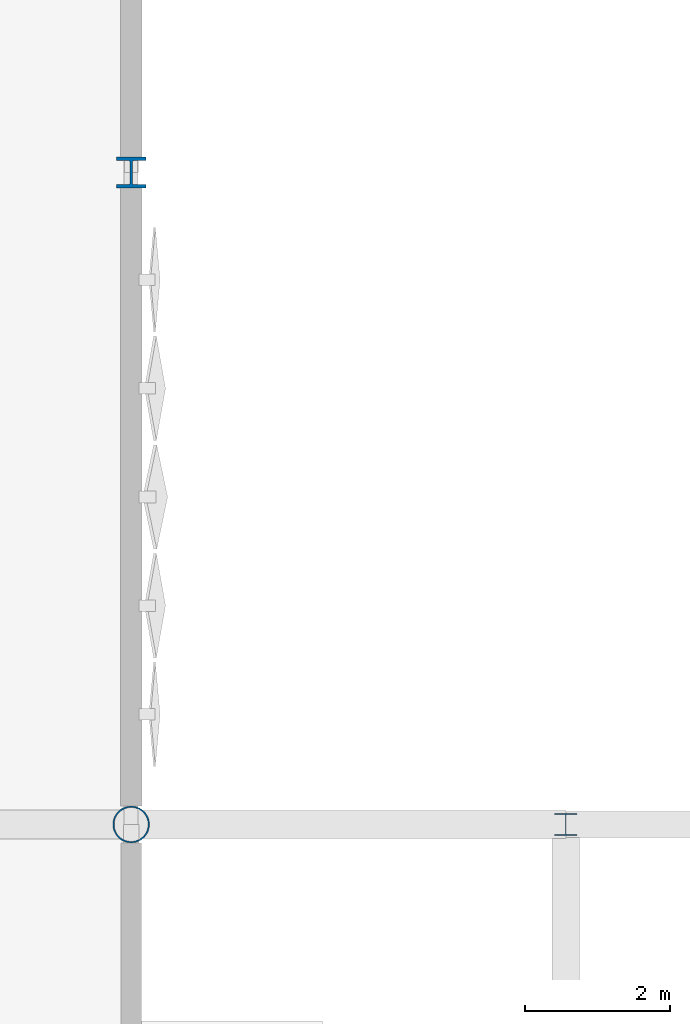
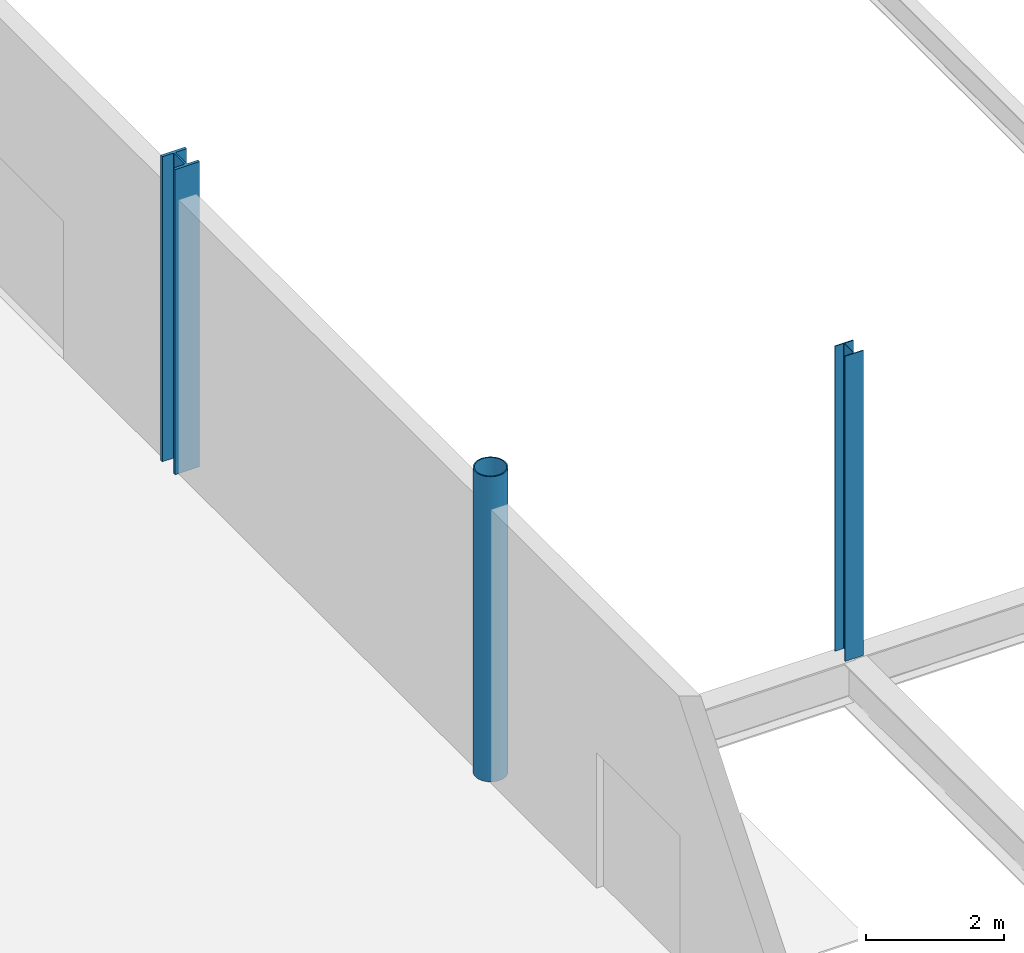
# One storey, part 6 of 94: 3 columns.
"""IFC4 building model written with IfcOpenShell, lengths in metres."""

from ifc_helpers import new_model, si_unit, direction, frame, origin, origin_2d, place, context, subcontext, project, spatial, hollow_circle, i_section, extrude, material, material_profile, profile_set, type_object, element, save


model = new_model("IFC4")

# Units and contexts
model_context = context("Model", 3, precision=1e-05, world=origin(), true_north=direction((0.0, 1.0)))
body_context = subcontext(model_context, "Body", "Model", "MODEL_VIEW")
ifc_project = project(units=[si_unit("LENGTHUNIT", "METRE"), si_unit("AREAUNIT", "SQUARE_METRE"), si_unit("VOLUMEUNIT", "CUBIC_METRE"), si_unit("PLANEANGLEUNIT", "RADIAN"), si_unit("MASSUNIT", "GRAM", prefix="KILO")], contexts=[model_context])

# Site, building, storey
site_placement = place(None, origin())
site = spatial("IfcSite", under=ifc_project, at=site_placement, CompositionType="ELEMENT")
building_placement = place(site_placement, origin())
building = spatial("IfcBuilding", under=site, at=building_placement, Name="Qamarlyn Nura Convention Centre", CompositionType="ELEMENT")
storey_placement = place(building_placement, origin())
storey = spatial("IfcBuildingStorey", under=building, at=storey_placement, Name="L00", CompositionType="ELEMENT", Elevation=0.0)

# Columns
ifc_material_1 = material(Name="Pearl-white PVDF steel ASTM A500 Grade C", Category="steel")
ifc_material_profile_1 = material_profile(ifc_material_1, hollow_circle(Radius=0.25390625, WallThickness=0.02001953125, at=origin_2d()), Name="CHS508X20")
ifc_profile_set_1 = profile_set([ifc_material_profile_1], Name="Pearl-white PVDF steel ASTM A500 Grade C")
column_type_1 = type_object("IfcColumnType", Name="COL-HALL-1", PredefinedType="COLUMN", material=ifc_profile_set_1)
column_1_placement = place(storey_placement, frame((120.0, 45.0, 0.0), z_axis=(0.0, 0.0, 1.0), x_axis=(1.0, 0.0, 0.0)))
element("IfcColumn", 1, at=column_1_placement, inside=storey, type_object=column_type_1, Name="L00 column 9/F", PredefinedType="COLUMN", context=body_context, shape_type="SweptSolid", body=[
    extrude(hollow_circle(Radius=0.25390625, WallThickness=0.02001953125, at=origin_2d()), origin(), (0.0, 0.0, 1.0), 5.39990234375),
])
ifc_material_2 = material(Name="Steel ASTM A992", Category="steel")
ifc_material_profile_2 = material_profile(ifc_material_2, i_section(OverallWidth=0.408935546875, OverallDepth=0.425048828125, WebThickness=0.030517578125, FlangeThickness=0.049072265625, FilletRadius=0.02001953125, at=origin_2d()), Name="W360X421")
ifc_profile_set_2 = profile_set([ifc_material_profile_2], Name="Steel ASTM A992")
column_type_2 = type_object("IfcColumnType", Name="COL-MEGA-1", PredefinedType="COLUMN", material=ifc_profile_set_2)
column_2_placement = place(storey_placement, frame((120.0, 54.0, 0.0), z_axis=(0.0, 0.0, 1.0), x_axis=(1.0, 0.0, 0.0)))
element("IfcColumn", 2, at=column_2_placement, inside=storey, type_object=column_type_2, Name="L00 column 9/G", PredefinedType="COLUMN", context=body_context, shape_type="SweptSolid", body=[
    extrude(i_section(OverallWidth=0.408935546875, OverallDepth=0.425048828125, WebThickness=0.030517578125, FlangeThickness=0.049072265625, FilletRadius=0.02001953125, at=origin_2d()), origin(), (0.0, 0.0, 1.0), 5.39990234375),
])
ifc_material_profile_3 = material_profile(ifc_material_2, i_section(OverallWidth=0.304931640625, OverallDepth=0.30810546875, WebThickness=0.010009765625, FlangeThickness=0.015380859375, FilletRadius=0.014892578125, at=origin_2d()), Name="W310X97")
ifc_profile_set_3 = profile_set([ifc_material_profile_3], Name="Steel ASTM A992")
column_type_3 = type_object("IfcColumnType", Name="COL-WING-4", PredefinedType="COLUMN", material=ifc_profile_set_3)
column_3_placement = place(storey_placement, frame((126.0, 45.0, 0.0), z_axis=(0.0, 0.0, 1.0), x_axis=(1.0, 0.0, 0.0)))
element("IfcColumn", 3, at=column_3_placement, inside=storey, type_object=column_type_3, Name="L00 column 10/F", PredefinedType="COLUMN", context=body_context, shape_type="SweptSolid", body=[
    extrude(i_section(OverallWidth=0.304931640625, OverallDepth=0.30810546875, WebThickness=0.010009765625, FlangeThickness=0.015380859375, FilletRadius=0.014892578125, at=origin_2d()), origin(), (0.0, 0.0, 1.0), 5.39990234375),
])

save(model, "model.ifc")
